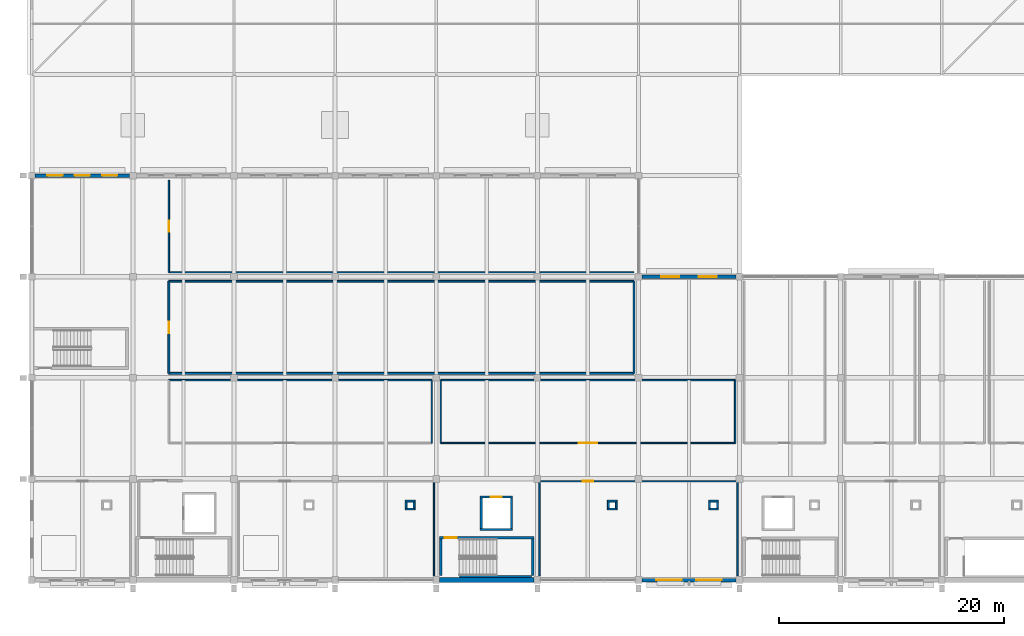
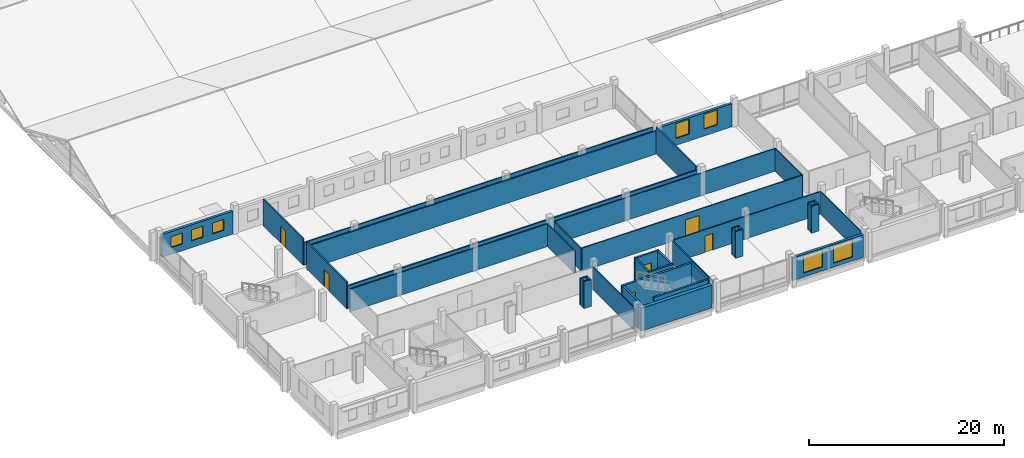
# One storey, part 149 of 163: 40 walls, 7 windows, 6 doors, 13 openings.
"""IFC4 building model written with IfcOpenShell, lengths in metres."""

from ifc_helpers import new_model, si_unit, direction, frame, frame_2d, origin, place, context, subcontext, project, spatial, rectangle, extrude, material, layer, layer_set, type_object, element, fill, save


model = new_model("IFC4")

# Units and contexts
model_context = context("Model", 3, precision=1e-05, world=origin(), true_north=direction((0.0, 1.0)))
body_context = subcontext(model_context, "Body", "Model", "MODEL_VIEW")
ifc_project = project(units=[si_unit("LENGTHUNIT", "METRE"), si_unit("AREAUNIT", "SQUARE_METRE"), si_unit("VOLUMEUNIT", "CUBIC_METRE"), si_unit("PLANEANGLEUNIT", "RADIAN"), si_unit("MASSUNIT", "GRAM", prefix="KILO")], contexts=[model_context])

# Site, building, storey
site_placement = place(None, origin())
site = spatial("IfcSite", under=ifc_project, at=site_placement, CompositionType="ELEMENT")
building_placement = place(site_placement, origin())
building = spatial("IfcBuilding", under=site, at=building_placement, Name="Tharagai Park Tramway Depot", CompositionType="ELEMENT")
storey_placement = place(building_placement, frame((0.0, 0.0, 8.39990234375)))
storey = spatial("IfcBuildingStorey", under=building, at=storey_placement, Name="L02", CompositionType="ELEMENT", Elevation=8.39990234375)

# Wall
ifc_material_1 = material(Name="Charnockite stone", Category="masonry")
ifc_layer_1 = layer(ifc_material_1, 0.419921875)
ifc_layer_set_1 = layer_set([ifc_layer_1], Name="Charnockite stone")
wall_type_1 = type_object("IfcWallType", Name="EW-07", PredefinedType="SOLIDWALL", material=ifc_layer_set_1)
wall_1_placement = place(storey_placement, frame((36.298095703125, 0.0, 0.0), z_axis=(0.0, 0.0, 1.0), x_axis=(1.0, 0.0, 0.0)))
element("IfcWall", 1, at=wall_1_placement, inside=storey, type_object=wall_type_1, Name="L02 V4 Exterior Masonry Wall EW-07", PredefinedType="SOLIDWALL", context=body_context, shape_type="SweptSolid", body=[
    extrude(rectangle(XDim=8.40380859375, YDim=0.419921875, at=frame_2d((4.201904296875, 0.0))), origin(), (0.0, 0.0, 1.0), 2.862060546875),
])

# Wall, openings, windows
ifc_material_2 = material(Name="Pressed clay brick", Category="masonry")
ifc_layer_2 = layer(ifc_material_2, 0.300048828125)
ifc_layer_set_2 = layer_set([ifc_layer_2], Name="Pressed clay brick")
wall_type_2 = type_object("IfcWallType", Name="EW-08", PredefinedType="SOLIDWALL", material=ifc_layer_set_2)
wall_2_placement = place(storey_placement, frame((54.298095703125, 0.0, 0.0), z_axis=(0.0, 0.0, 1.0), x_axis=(1.0, 0.0, 0.0)))
wall_2 = element("IfcWall", 2, at=wall_2_placement, inside=storey, type_object=wall_type_2, Name="L02 V4 Exterior Masonry Wall EW-08", PredefinedType="SOLIDWALL", context=body_context, shape_type="SweptSolid", body=[
    extrude(rectangle(XDim=8.40380859375, YDim=0.300048828125, at=frame_2d((4.201904296875, 0.0))), origin(), (0.0, 0.0, 1.0), 2.862060546875),
])
opening_1_placement = place(wall_2_placement, frame((1.301025390625, 0.0, 0.5)))
opening_1 = element("IfcOpeningElement", 3, at=opening_1_placement, cuts=wall_2, Name="Opening WN-36", PredefinedType="OPENING", context=body_context, shape_type="SweptSolid", body=[
    extrude(rectangle(XDim=2.25, YDim=2.179931640625, at=frame_2d((1.125, 1.08984375))), frame((0.0, 0.159912109375, 0.0), z_axis=(0.0, -1.0, 0.0), x_axis=(1.0, 0.0, 0.0)), (0.0, 0.0, 1.0), 0.320068359375),
])
opening_2_placement = place(wall_2_placement, frame((4.85302734375, 0.0, 0.5)))
opening_2 = element("IfcOpeningElement", 4, at=opening_2_placement, cuts=wall_2, Name="Opening WN-36", PredefinedType="OPENING", context=body_context, shape_type="SweptSolid", body=[
    extrude(rectangle(XDim=2.25, YDim=2.179931640625, at=frame_2d((1.125, 1.08984375))), frame((0.0, 0.159912109375, 0.0), z_axis=(0.0, -1.0, 0.0), x_axis=(1.0, 0.0, 0.0)), (0.0, 0.0, 1.0), 0.320068359375),
])
ifc_material_3 = material(Name="Laminated solar-control glass", Category="glass")
window_type_1 = type_object("IfcWindowType", Name="WN-36", PartitioningType="SINGLE_PANEL", PredefinedType="WINDOW", material=ifc_material_3)
window_1_placement = place(opening_1_placement, origin())
window_1 = element("IfcWindow", 5, at=window_1_placement, inside=storey, type_object=window_type_1, Name="L02 V4 Gothic Lancet Window WN-36", OverallHeight=2.179931640625, OverallWidth=2.25, PartitioningType="SINGLE_PANEL", PredefinedType="WINDOW", context=body_context, shape_type="SweptSolid", body=[
    extrude(rectangle(XDim=2.25, YDim=2.179931640625, at=frame_2d((1.125, 1.08984375))), frame((0.0, 0.030029296875, 0.0), z_axis=(0.0, -1.0, 0.0), x_axis=(1.0, 0.0, 0.0)), (0.0, 0.0, 1.0), 0.06005859375),
])
fill(opening_1, window_1)
window_2_placement = place(opening_2_placement, origin())
window_2 = element("IfcWindow", 6, at=window_2_placement, inside=storey, type_object=window_type_1, Name="L02 V4 Gothic Lancet Window WN-36", OverallHeight=2.179931640625, OverallWidth=2.25, PartitioningType="SINGLE_PANEL", PredefinedType="WINDOW", context=body_context, shape_type="SweptSolid", body=[
    extrude(rectangle(XDim=2.25, YDim=2.179931640625, at=frame_2d((1.125, 1.08984375))), frame((0.0, 0.030029296875, 0.0), z_axis=(0.0, -1.0, 0.0), x_axis=(1.0, 0.0, 0.0)), (0.0, 0.0, 1.0), 0.06005859375),
])
fill(opening_2, window_2)

wall_3_placement = place(storey_placement, frame((54.298095703125, 27.0, 0.0), z_axis=(0.0, 0.0, 1.0), x_axis=(1.0, 0.0, 0.0)))
wall_3 = element("IfcWall", 7, at=wall_3_placement, inside=storey, type_object=wall_type_2, Name="L02 V4 Exterior Masonry Wall EW-08", PredefinedType="SOLIDWALL", context=body_context, shape_type="SweptSolid", body=[
    extrude(rectangle(XDim=8.40380859375, YDim=0.300048828125, at=frame_2d((4.201904296875, 0.0))), origin(), (0.0, 0.0, 1.0), 2.902099609375),
])
opening_3_placement = place(wall_3_placement, frame((1.735107421875, 0.0, 0.85009765625)))
opening_3 = element("IfcOpeningElement", 8, at=opening_3_placement, cuts=wall_3, Name="Opening WN-55", PredefinedType="OPENING", context=body_context, shape_type="SweptSolid", body=[
    extrude(rectangle(XDim=1.60009765625, YDim=1.860107421875, at=frame_2d((0.800048828125, 0.93017578125))), frame((0.0, 0.159912109375, 0.0), z_axis=(0.0, -1.0, 0.0), x_axis=(1.0, 0.0, 0.0)), (0.0, 0.0, 1.0), 0.320068359375),
])
opening_4_placement = place(wall_3_placement, frame((5.069091796875, 0.0, 0.85009765625)))
opening_4 = element("IfcOpeningElement", 9, at=opening_4_placement, cuts=wall_3, Name="Opening WN-55", PredefinedType="OPENING", context=body_context, shape_type="SweptSolid", body=[
    extrude(rectangle(XDim=1.60009765625, YDim=1.860107421875, at=frame_2d((0.800048828125, 0.93017578125))), frame((0.0, 0.159912109375, 0.0), z_axis=(0.0, -1.0, 0.0), x_axis=(1.0, 0.0, 0.0)), (0.0, 0.0, 1.0), 0.320068359375),
])
window_type_2 = type_object("IfcWindowType", Name="WN-55", PartitioningType="SINGLE_PANEL", PredefinedType="WINDOW", material=ifc_material_3)
window_3_placement = place(opening_3_placement, origin())
window_3 = element("IfcWindow", 10, at=window_3_placement, inside=storey, type_object=window_type_2, Name="L02 V4 Gothic Lancet Window WN-55", OverallHeight=1.860107421875, OverallWidth=1.60009765625, PartitioningType="SINGLE_PANEL", PredefinedType="WINDOW", context=body_context, shape_type="SweptSolid", body=[
    extrude(rectangle(XDim=1.60009765625, YDim=1.860107421875, at=frame_2d((0.800048828125, 0.93017578125))), frame((0.0, 0.030029296875, 0.0), z_axis=(0.0, -1.0, 0.0), x_axis=(1.0, 0.0, 0.0)), (0.0, 0.0, 1.0), 0.06005859375),
])
fill(opening_3, window_3)
window_4_placement = place(opening_4_placement, origin())
window_4 = element("IfcWindow", 11, at=window_4_placement, inside=storey, type_object=window_type_2, Name="L02 V4 Gothic Lancet Window WN-55", OverallHeight=1.860107421875, OverallWidth=1.60009765625, PartitioningType="SINGLE_PANEL", PredefinedType="WINDOW", context=body_context, shape_type="SweptSolid", body=[
    extrude(rectangle(XDim=1.60009765625, YDim=1.860107421875, at=frame_2d((0.800048828125, 0.93017578125))), frame((0.0, 0.030029296875, 0.0), z_axis=(0.0, -1.0, 0.0), x_axis=(1.0, 0.0, 0.0)), (0.0, 0.0, 1.0), 0.06005859375),
])
fill(opening_4, window_4)

wall_4_placement = place(storey_placement, frame((0.298095703125, 36.0, 0.0), z_axis=(0.0, 0.0, 1.0), x_axis=(1.0, 0.0, 0.0)))
wall_4 = element("IfcWall", 12, at=wall_4_placement, inside=storey, type_object=wall_type_2, Name="L02 V4 Exterior Masonry Wall EW-08", PredefinedType="SOLIDWALL", context=body_context, shape_type="SweptSolid", body=[
    extrude(rectangle(XDim=8.40380859375, YDim=0.300048828125, at=frame_2d((4.201904296875, 0.0))), origin(), (0.0, 0.0, 1.0), 2.862060546875),
])
opening_5_placement = place(wall_4_placement, frame((1.0810546875, 0.0, 0.85009765625)))
opening_5 = element("IfcOpeningElement", 13, at=opening_5_placement, cuts=wall_4, Name="Opening WN-41", PredefinedType="OPENING", context=body_context, shape_type="SweptSolid", body=[
    extrude(rectangle(XDim=1.360107421875, YDim=1.3798828125, at=frame_2d((0.68017578125, 0.68994140625))), frame((0.0, 0.159912109375, 0.0), z_axis=(0.0, -1.0, 0.0), x_axis=(1.0, 0.0, 0.0)), (0.0, 0.0, 1.0), 0.320068359375),
])
opening_6_placement = place(wall_4_placement, frame((3.52197265625, 0.0, 0.85009765625)))
opening_6 = element("IfcOpeningElement", 14, at=opening_6_placement, cuts=wall_4, Name="Opening WN-41", PredefinedType="OPENING", context=body_context, shape_type="SweptSolid", body=[
    extrude(rectangle(XDim=1.360107421875, YDim=1.3798828125, at=frame_2d((0.68017578125, 0.68994140625))), frame((0.0, 0.159912109375, 0.0), z_axis=(0.0, -1.0, 0.0), x_axis=(1.0, 0.0, 0.0)), (0.0, 0.0, 1.0), 0.320068359375),
])
opening_7_placement = place(wall_4_placement, frame((5.962890625, 0.0, 0.85009765625)))
opening_7 = element("IfcOpeningElement", 15, at=opening_7_placement, cuts=wall_4, Name="Opening WN-41", PredefinedType="OPENING", context=body_context, shape_type="SweptSolid", body=[
    extrude(rectangle(XDim=1.360107421875, YDim=1.3798828125, at=frame_2d((0.68017578125, 0.68994140625))), frame((0.0, 0.159912109375, 0.0), z_axis=(0.0, -1.0, 0.0), x_axis=(1.0, 0.0, 0.0)), (0.0, 0.0, 1.0), 0.320068359375),
])
window_type_3 = type_object("IfcWindowType", Name="WN-41", PartitioningType="SINGLE_PANEL", PredefinedType="WINDOW", material=ifc_material_3)
window_5_placement = place(opening_5_placement, origin())
window_5 = element("IfcWindow", 16, at=window_5_placement, inside=storey, type_object=window_type_3, Name="L02 V4 Gothic Lancet Window WN-41", OverallHeight=1.3798828125, OverallWidth=1.360107421875, PartitioningType="SINGLE_PANEL", PredefinedType="WINDOW", context=body_context, shape_type="SweptSolid", body=[
    extrude(rectangle(XDim=1.360107421875, YDim=1.3798828125, at=frame_2d((0.68017578125, 0.68994140625))), frame((0.0, 0.030029296875, 0.0), z_axis=(0.0, -1.0, 0.0), x_axis=(1.0, 0.0, 0.0)), (0.0, 0.0, 1.0), 0.06005859375),
])
fill(opening_5, window_5)
window_6_placement = place(opening_6_placement, origin())
window_6 = element("IfcWindow", 17, at=window_6_placement, inside=storey, type_object=window_type_3, Name="L02 V4 Gothic Lancet Window WN-41", OverallHeight=1.3798828125, OverallWidth=1.360107421875, PartitioningType="SINGLE_PANEL", PredefinedType="WINDOW", context=body_context, shape_type="SweptSolid", body=[
    extrude(rectangle(XDim=1.360107421875, YDim=1.3798828125, at=frame_2d((0.68017578125, 0.68994140625))), frame((0.0, 0.030029296875, 0.0), z_axis=(0.0, -1.0, 0.0), x_axis=(1.0, 0.0, 0.0)), (0.0, 0.0, 1.0), 0.06005859375),
])
fill(opening_6, window_6)
window_7_placement = place(opening_7_placement, origin())
window_7 = element("IfcWindow", 18, at=window_7_placement, inside=storey, type_object=window_type_3, Name="L02 V4 Gothic Lancet Window WN-41", OverallHeight=1.3798828125, OverallWidth=1.360107421875, PartitioningType="SINGLE_PANEL", PredefinedType="WINDOW", context=body_context, shape_type="SweptSolid", body=[
    extrude(rectangle(XDim=1.360107421875, YDim=1.3798828125, at=frame_2d((0.68017578125, 0.68994140625))), frame((0.0, 0.030029296875, 0.0), z_axis=(0.0, -1.0, 0.0), x_axis=(1.0, 0.0, 0.0)), (0.0, 0.0, 1.0), 0.06005859375),
])
fill(opening_7, window_7)

# Walls
ifc_layer_3 = layer(ifc_material_2, 0.159912109375)
ifc_layer_set_3 = layer_set([ifc_layer_3], Name="Pressed clay brick")
wall_type_3 = type_object("IfcWallType", Name="IW-02", PredefinedType="PARTITIONING", material=ifc_layer_set_3)
for number, where, z_axis, x_axis, name in (
    (19, (33.239990234375, 6.320068359375, 0.0), (0.0, 0.0, 1.0), (1.0, 0.0, 0.0), "L02 Pipe Riser Enclosure Wall 41 S"),
    (20, (33.239990234375, 7.030029296875, 0.0), (0.0, 0.0, 1.0), (1.0, 0.0, 0.0), "L02 Pipe Riser Enclosure Wall 41 N"),
):
    element("IfcWall", number, at=place(storey_placement, frame(where, z_axis=z_axis, x_axis=x_axis)), inside=storey, type_object=wall_type_3, Name=name, PredefinedType="PARTITIONING", context=body_context, shape_type="SweptSolid", body=[
        extrude(rectangle(XDim=0.8701171875, YDim=0.159912109375, at=frame_2d((0.43505859375, 0.0))), origin(), (0.0, 0.0, 1.0), 3.35009765625),
    ])
for number, where, z_axis, x_axis, name in (
    (21, (33.320068359375, 6.39990234375, 0.0), (0.0, 0.0, 1.0), (0.0, 1.0, 0.0), "L02 Pipe Riser Enclosure Wall 41 W"),
    (22, (34.030029296875, 6.39990234375, 0.0), (0.0, 0.0, 1.0), (0.0, 1.0, 0.0), "L02 Pipe Riser Enclosure Wall 41 E"),
):
    element("IfcWall", number, at=place(storey_placement, frame(where, z_axis=z_axis, x_axis=x_axis)), inside=storey, type_object=wall_type_3, Name=name, PredefinedType="PARTITIONING", context=body_context, shape_type="SweptSolid", body=[
        extrude(rectangle(XDim=0.550048828125, YDim=0.159912109375, at=frame_2d((0.27490234375, 0.0))), origin(), (0.0, 0.0, 1.0), 3.35009765625),
    ])
for number, where, z_axis, x_axis, name in (
    (23, (51.239990234375, 6.320068359375, 0.0), (0.0, 0.0, 1.0), (1.0, 0.0, 0.0), "L02 Pipe Riser Enclosure Wall 42 S"),
    (24, (51.239990234375, 7.030029296875, 0.0), (0.0, 0.0, 1.0), (1.0, 0.0, 0.0), "L02 Pipe Riser Enclosure Wall 42 N"),
):
    element("IfcWall", number, at=place(storey_placement, frame(where, z_axis=z_axis, x_axis=x_axis)), inside=storey, type_object=wall_type_3, Name=name, PredefinedType="PARTITIONING", context=body_context, shape_type="SweptSolid", body=[
        extrude(rectangle(XDim=0.8701171875, YDim=0.159912109375, at=frame_2d((0.43505859375, 0.0))), origin(), (0.0, 0.0, 1.0), 3.35009765625),
    ])
for number, where, z_axis, x_axis, name in (
    (25, (51.320068359375, 6.39990234375, 0.0), (0.0, 0.0, 1.0), (0.0, 1.0, 0.0), "L02 Pipe Riser Enclosure Wall 42 W"),
    (26, (52.030029296875, 6.39990234375, 0.0), (0.0, 0.0, 1.0), (0.0, 1.0, 0.0), "L02 Pipe Riser Enclosure Wall 42 E"),
):
    element("IfcWall", number, at=place(storey_placement, frame(where, z_axis=z_axis, x_axis=x_axis)), inside=storey, type_object=wall_type_3, Name=name, PredefinedType="PARTITIONING", context=body_context, shape_type="SweptSolid", body=[
        extrude(rectangle(XDim=0.550048828125, YDim=0.159912109375, at=frame_2d((0.27490234375, 0.0))), origin(), (0.0, 0.0, 1.0), 3.35009765625),
    ])
for number, where, z_axis, x_axis, name in (
    (27, (60.239990234375, 6.320068359375, 0.0), (0.0, 0.0, 1.0), (1.0, 0.0, 0.0), "L02 Pipe Riser Enclosure Wall 43 S"),
    (28, (60.239990234375, 7.030029296875, 0.0), (0.0, 0.0, 1.0), (1.0, 0.0, 0.0), "L02 Pipe Riser Enclosure Wall 43 N"),
):
    element("IfcWall", number, at=place(storey_placement, frame(where, z_axis=z_axis, x_axis=x_axis)), inside=storey, type_object=wall_type_3, Name=name, PredefinedType="PARTITIONING", context=body_context, shape_type="SweptSolid", body=[
        extrude(rectangle(XDim=0.8701171875, YDim=0.159912109375, at=frame_2d((0.43505859375, 0.0))), origin(), (0.0, 0.0, 1.0), 3.35009765625),
    ])
for number, where, z_axis, x_axis, name in (
    (29, (60.320068359375, 6.39990234375, 0.0), (0.0, 0.0, 1.0), (0.0, 1.0, 0.0), "L02 Pipe Riser Enclosure Wall 43 W"),
    (30, (61.030029296875, 6.39990234375, 0.0), (0.0, 0.0, 1.0), (0.0, 1.0, 0.0), "L02 Pipe Riser Enclosure Wall 43 E"),
):
    element("IfcWall", number, at=place(storey_placement, frame(where, z_axis=z_axis, x_axis=x_axis)), inside=storey, type_object=wall_type_3, Name=name, PredefinedType="PARTITIONING", context=body_context, shape_type="SweptSolid", body=[
        extrude(rectangle(XDim=0.550048828125, YDim=0.159912109375, at=frame_2d((0.27490234375, 0.0))), origin(), (0.0, 0.0, 1.0), 3.35009765625),
    ])
for number, where, z_axis, x_axis, name in (
    (31, (12.199951171875, 18.39990234375, 0.0), (0.0, 0.0, 1.0), (1.0, 0.0, 0.0), "OCC Rack and Telemetry Equipment Room Partition South"),
    (32, (12.199951171875, 26.60009765625, 0.0), (0.0, 0.0, 1.0), (1.0, 0.0, 0.0), "OCC Rack and Telemetry Equipment Room Partition North"),
):
    element("IfcWall", number, at=place(storey_placement, frame(where, z_axis=z_axis, x_axis=x_axis)), inside=storey, type_object=wall_type_3, Name=name, PredefinedType="PARTITIONING", context=body_context, shape_type="SweptSolid", body=[
        extrude(rectangle(XDim=41.400146484375, YDim=0.159912109375, at=frame_2d((20.7001953125, 0.0))), origin(), (0.0, 0.0, 1.0), 2.89501953125),
    ])

# Wall, opening, door
wall_5_placement = place(storey_placement, frame((12.199951171875, 18.39990234375, 0.0), z_axis=(0.0, 0.0, 1.0), x_axis=(0.0, 1.0, 0.0)))
wall_5 = element("IfcWall", 33, at=wall_5_placement, inside=storey, type_object=wall_type_3, Name="OCC Rack and Telemetry Equipment Room Partition West", PredefinedType="PARTITIONING", context=body_context, shape_type="SweptSolid", body=[
    extrude(rectangle(XDim=8.2001953125, YDim=0.159912109375, at=frame_2d((4.10009765625, 0.0))), origin(), (0.0, 0.0, 1.0), 3.35009765625),
])
opening_8_placement = place(wall_5_placement, frame((3.590087890625, 0.0, 0.0)))
opening_8 = element("IfcOpeningElement", 34, at=opening_8_placement, cuts=wall_5, Name="Opening ID-12", PredefinedType="OPENING", context=body_context, shape_type="SweptSolid", body=[
    extrude(rectangle(XDim=1.02001953125, YDim=2.10009765625, at=frame_2d((0.510009765625, 1.050048828125))), frame((0.0, 0.08984375, 0.0), z_axis=(0.0, -1.0, 0.0), x_axis=(1.0, 0.0, 0.0)), (0.0, 0.0, 1.0), 0.179931640625),
])
ifc_material_4 = material(Name="Pressed timber", Category="wood")
door_type_1 = type_object("IfcDoorType", Name="ID-12", OperationType="NOTDEFINED", PredefinedType="DOOR", material=ifc_material_4)
door_1_placement = place(opening_8_placement, origin())
door_1 = element("IfcDoor", 35, at=door_1_placement, inside=storey, type_object=door_type_1, Name="OCC Rack and Telemetry Equipment Room Door", OperationType="SINGLE_SWING_RIGHT", OverallHeight=2.10009765625, OverallWidth=1.02001953125, PredefinedType="DOOR", context=body_context, shape_type="SweptSolid", body=[
    extrude(rectangle(XDim=1.02001953125, YDim=2.10009765625, at=frame_2d((0.510009765625, 1.050048828125))), frame((0.0, 0.02490234375, 0.0), z_axis=(0.0, -1.0, 0.0), x_axis=(1.0, 0.0, 0.0)), (0.0, 0.0, 1.0), 0.050048828125),
])
fill(opening_8, door_1)

# Walls
wall_6_placement = place(storey_placement, frame((53.60009765625, 18.39990234375, 0.0), z_axis=(0.0, 0.0, 1.0), x_axis=(0.0, 1.0, 0.0)))
element("IfcWall", 36, at=wall_6_placement, inside=storey, type_object=wall_type_3, Name="OCC Rack and Telemetry Equipment Room Partition East", PredefinedType="PARTITIONING", context=body_context, shape_type="SweptSolid", body=[
    extrude(rectangle(XDim=8.2001953125, YDim=0.159912109375, at=frame_2d((4.10009765625, 0.0))), origin(), (0.0, 0.0, 1.0), 3.35009765625),
])
ifc_material_5 = material(Name="Gypsum board", Category="gypsum")
ifc_layer_4 = layer(ifc_material_5, 0.1201171875)
ifc_layer_set_4 = layer_set([ifc_layer_4], Name="Gypsum board")
wall_type_4 = type_object("IfcWallType", Name="IW-03", PredefinedType="PARTITIONING", material=ifc_layer_set_4)
wall_7_placement = place(storey_placement, frame((35.800048828125, 0.39990234375, 0.0), z_axis=(0.0, 0.0, 1.0), x_axis=(0.0, 1.0, 0.0)))
element("IfcWall", 37, at=wall_7_placement, inside=storey, type_object=wall_type_4, Name="Yard Operations Control Room Partition East", PredefinedType="PARTITIONING", context=body_context, shape_type="SweptSolid", body=[
    extrude(rectangle(XDim=8.400146484375, YDim=0.1201171875, at=frame_2d((4.2001953125, 0.0))), origin(), (0.0, 0.0, 1.0), 2.84521484375),
])

# Wall, opening, door
wall_8_placement = place(storey_placement, frame((45.199951171875, 8.800048828125, 0.0), z_axis=(0.0, 0.0, 1.0), x_axis=(1.0, 0.0, 0.0)))
wall_8 = element("IfcWall", 38, at=wall_8_placement, inside=storey, type_object=wall_type_4, Name="Cab Simulator Lab 1 Partition North", PredefinedType="PARTITIONING", context=body_context, shape_type="SweptSolid", body=[
    extrude(rectangle(XDim=17.60009765625, YDim=0.1201171875, at=frame_2d((8.800048828125, 0.0))), origin(), (0.0, 0.0, 1.0), 2.84521484375),
])
opening_9_placement = place(wall_8_placement, frame((3.830078125, 0.0, 0.0)))
opening_9 = element("IfcOpeningElement", 39, at=opening_9_placement, cuts=wall_8, Name="Opening ID-03", PredefinedType="OPENING", context=body_context, shape_type="SweptSolid", body=[
    extrude(rectangle(XDim=0.93994140625, YDim=2.06005859375, at=frame_2d((0.469970703125, 1.030029296875))), frame((0.0, 0.070068359375, 0.0), z_axis=(0.0, -1.0, 0.0), x_axis=(1.0, 0.0, 0.0)), (0.0, 0.0, 1.0), 0.14013671875),
])
door_type_2 = type_object("IfcDoorType", Name="ID-03", OperationType="NOTDEFINED", PredefinedType="DOOR", material=ifc_material_4)
door_2_placement = place(opening_9_placement, origin())
door_2 = element("IfcDoor", 40, at=door_2_placement, inside=storey, type_object=door_type_2, Name="Cab Simulator Lab 1 Door", OperationType="SINGLE_SWING_RIGHT", OverallHeight=2.06005859375, OverallWidth=0.93994140625, PredefinedType="DOOR", context=body_context, shape_type="SweptSolid", body=[
    extrude(rectangle(XDim=0.93994140625, YDim=2.06005859375, at=frame_2d((0.469970703125, 1.030029296875))), frame((0.0, 0.02490234375, 0.0), z_axis=(0.0, -1.0, 0.0), x_axis=(1.0, 0.0, 0.0)), (0.0, 0.0, 1.0), 0.050048828125),
])
fill(opening_9, door_2)

# Walls
for number, where, z_axis, x_axis, name in (
    (41, (45.199951171875, 0.39990234375, 0.0), (0.0, 0.0, 1.0), (0.0, 1.0, 0.0), "Cab Simulator Lab 1 Partition West"),
    (42, (62.800048828125, 0.39990234375, 0.0), (0.0, 0.0, 1.0), (0.0, 1.0, 0.0), "Cab Simulator Lab 1 Partition East"),
):
    element("IfcWall", number, at=place(storey_placement, frame(where, z_axis=z_axis, x_axis=x_axis)), inside=storey, type_object=wall_type_4, Name=name, PredefinedType="PARTITIONING", context=body_context, shape_type="SweptSolid", body=[
        extrude(rectangle(XDim=8.400146484375, YDim=0.1201171875, at=frame_2d((4.2001953125, 0.0))), origin(), (0.0, 0.0, 1.0), 2.84521484375),
    ])
wall_9_placement = place(storey_placement, frame((12.199951171875, 17.800048828125, 0.0), z_axis=(0.0, 0.0, 1.0), x_axis=(1.0, 0.0, 0.0)))
element("IfcWall", 43, at=wall_9_placement, inside=storey, type_object=wall_type_4, Name="Driver Training Room 1 Partition North", PredefinedType="PARTITIONING", context=body_context, shape_type="SweptSolid", body=[
    extrude(rectangle(XDim=23.400146484375, YDim=0.1201171875, at=frame_2d((11.7001953125, 0.0))), origin(), (0.0, 0.0, 1.0), 2.84521484375),
])
wall_10_placement = place(storey_placement, frame((35.60009765625, 12.199951171875, 0.0), z_axis=(0.0, 0.0, 1.0), x_axis=(0.0, 1.0, 0.0)))
element("IfcWall", 44, at=wall_10_placement, inside=storey, type_object=wall_type_4, Name="Driver Training Room 1 Partition East", PredefinedType="PARTITIONING", context=body_context, shape_type="SweptSolid", body=[
    extrude(rectangle(XDim=5.60009765625, YDim=0.1201171875, at=frame_2d((2.800048828125, 0.0))), origin(), (0.0, 0.0, 1.0), 2.84521484375),
])

# Wall, opening, door
wall_11_placement = place(storey_placement, frame((36.39990234375, 12.199951171875, 0.0), z_axis=(0.0, 0.0, 1.0), x_axis=(1.0, 0.0, 0.0)))
wall_11 = element("IfcWall", 45, at=wall_11_placement, inside=storey, type_object=wall_type_4, Name="Signalling Training Room 2 Partition South", PredefinedType="PARTITIONING", context=body_context, shape_type="SweptSolid", body=[
    extrude(rectangle(XDim=26.2001953125, YDim=0.1201171875, at=frame_2d((13.10009765625, 0.0))), origin(), (0.0, 0.0, 1.0), 2.89501953125),
])
opening_10_placement = place(wall_11_placement, frame((12.2900390625, 0.0, 0.0)))
opening_10 = element("IfcOpeningElement", 46, at=opening_10_placement, cuts=wall_11, Name="Opening ID-01", PredefinedType="OPENING", context=body_context, shape_type="SweptSolid", body=[
    extrude(rectangle(XDim=1.6201171875, YDim=2.139892578125, at=frame_2d((0.81005859375, 1.06982421875))), frame((0.0, 0.070068359375, 0.0), z_axis=(0.0, -1.0, 0.0), x_axis=(1.0, 0.0, 0.0)), (0.0, 0.0, 1.0), 0.14013671875),
])
ifc_material_6 = material(Name="Anodised aluminium", Category="aluminium")
door_type_3 = type_object("IfcDoorType", Name="ID-01", OperationType="DOUBLE_SWING_LEFT", PredefinedType="DOOR", material=ifc_material_6)
door_3_placement = place(opening_10_placement, frame((1.6201171875, 0.0, 0.0), z_axis=(0.0, 0.0, 1.0), x_axis=(-1.0, 0.0, 0.0)))
door_3 = element("IfcDoor", 47, at=door_3_placement, inside=storey, type_object=door_type_3, Name="Signalling Training Room 2 Door", OperationType="DOUBLE_SWING_LEFT", OverallHeight=2.139892578125, OverallWidth=1.6201171875, PredefinedType="DOOR", context=body_context, shape_type="SweptSolid", body=[
    extrude(rectangle(XDim=1.6201171875, YDim=2.139892578125, at=frame_2d((0.81005859375, 1.06982421875))), frame((0.0, 0.02490234375, 0.0), z_axis=(0.0, -1.0, 0.0), x_axis=(1.0, 0.0, 0.0)), (0.0, 0.0, 1.0), 0.050048828125),
])
fill(opening_10, door_3)

# Walls
wall_12_placement = place(storey_placement, frame((36.39990234375, 17.800048828125, 0.0), z_axis=(0.0, 0.0, 1.0), x_axis=(1.0, 0.0, 0.0)))
element("IfcWall", 48, at=wall_12_placement, inside=storey, type_object=wall_type_4, Name="Signalling Training Room 2 Partition North", PredefinedType="PARTITIONING", context=body_context, shape_type="SweptSolid", body=[
    extrude(rectangle(XDim=26.2001953125, YDim=0.1201171875, at=frame_2d((13.10009765625, 0.0))), origin(), (0.0, 0.0, 1.0), 2.84521484375),
])
wall_13_placement = place(storey_placement, frame((36.39990234375, 12.199951171875, 0.0), z_axis=(0.0, 0.0, 1.0), x_axis=(0.0, 1.0, 0.0)))
element("IfcWall", 49, at=wall_13_placement, inside=storey, type_object=wall_type_4, Name="Signalling Training Room 2 Partition West", PredefinedType="PARTITIONING", context=body_context, shape_type="SweptSolid", body=[
    extrude(rectangle(XDim=5.60009765625, YDim=0.1201171875, at=frame_2d((2.800048828125, 0.0))), origin(), (0.0, 0.0, 1.0), 2.84521484375),
])
wall_14_placement = place(storey_placement, frame((62.60009765625, 12.199951171875, 0.0), z_axis=(0.0, 0.0, 1.0), x_axis=(0.0, 1.0, 0.0)))
element("IfcWall", 50, at=wall_14_placement, inside=storey, type_object=wall_type_4, Name="Signalling Training Room 2 Partition East", PredefinedType="PARTITIONING", context=body_context, shape_type="SweptSolid", body=[
    extrude(rectangle(XDim=5.60009765625, YDim=0.1201171875, at=frame_2d((2.800048828125, 0.0))), origin(), (0.0, 0.0, 1.0), 2.864990234375),
])
wall_15_placement = place(storey_placement, frame((12.199951171875, 27.39990234375, 0.0), z_axis=(0.0, 0.0, 1.0), x_axis=(1.0, 0.0, 0.0)))
element("IfcWall", 51, at=wall_15_placement, inside=storey, type_object=wall_type_4, Name="Instructor Debriefing Room Partition South", PredefinedType="PARTITIONING", context=body_context, shape_type="SweptSolid", body=[
    extrude(rectangle(XDim=41.400146484375, YDim=0.1201171875, at=frame_2d((20.7001953125, 0.0))), origin(), (0.0, 0.0, 1.0), 2.84521484375),
])

# Wall, opening, door
wall_16_placement = place(storey_placement, frame((12.199951171875, 27.39990234375, 0.0), z_axis=(0.0, 0.0, 1.0), x_axis=(0.0, 1.0, 0.0)))
wall_16 = element("IfcWall", 52, at=wall_16_placement, inside=storey, type_object=wall_type_4, Name="Instructor Debriefing Room Partition West", PredefinedType="PARTITIONING", context=body_context, shape_type="SweptSolid", body=[
    extrude(rectangle(XDim=8.2001953125, YDim=0.1201171875, at=frame_2d((4.10009765625, 0.0))), origin(), (0.0, 0.0, 1.0), 3.35009765625),
])
opening_11_placement = place(wall_16_placement, frame((3.610107421875, 0.0, 0.0)))
opening_11 = element("IfcOpeningElement", 53, at=opening_11_placement, cuts=wall_16, Name="Opening ID-02", PredefinedType="OPENING", context=body_context, shape_type="SweptSolid", body=[
    extrude(rectangle(XDim=0.97998046875, YDim=2.080078125, at=frame_2d((0.489990234375, 1.0400390625))), frame((0.0, 0.070068359375, 0.0), z_axis=(0.0, -1.0, 0.0), x_axis=(1.0, 0.0, 0.0)), (0.0, 0.0, 1.0), 0.14013671875),
])
door_type_4 = type_object("IfcDoorType", Name="ID-02", OperationType="NOTDEFINED", PredefinedType="DOOR", material=ifc_material_4)
door_4_placement = place(opening_11_placement, origin())
door_4 = element("IfcDoor", 54, at=door_4_placement, inside=storey, type_object=door_type_4, Name="Instructor Debriefing Room Door", OperationType="SINGLE_SWING_LEFT", OverallHeight=2.080078125, OverallWidth=0.97998046875, PredefinedType="DOOR", context=body_context, shape_type="SweptSolid", body=[
    extrude(rectangle(XDim=0.97998046875, YDim=2.080078125, at=frame_2d((0.489990234375, 1.0400390625))), frame((0.0, 0.02490234375, 0.0), z_axis=(0.0, -1.0, 0.0), x_axis=(1.0, 0.0, 0.0)), (0.0, 0.0, 1.0), 0.050048828125),
])
fill(opening_11, door_4)

ifc_material_7 = material(Name="Concrete M40", Category="concrete")
ifc_layer_5 = layer(ifc_material_7, 0.239990234375)
ifc_layer_set_5 = layer_set([ifc_layer_5], Name="Concrete M40")
wall_type_5 = type_object("IfcWallType", Name="SW-01", PredefinedType="SHEAR", material=ifc_layer_set_5)
wall_17_placement = place(storey_placement, frame((36.280029296875, 3.77001953125, 0.0), z_axis=(0.0, 0.0, 1.0), x_axis=(1.0, 0.0, 0.0)))
wall_17 = element("IfcWall", 55, at=wall_17_placement, inside=storey, type_object=wall_type_5, Name="Core C2 L02 Shear Wall North", PredefinedType="SHEAR", context=body_context, shape_type="SweptSolid", body=[
    extrude(rectangle(XDim=8.43994140625, YDim=0.239990234375, at=frame_2d((4.219970703125, 0.0))), origin(), (0.0, 0.0, 1.0), 3.35009765625),
])
opening_12_placement = place(wall_17_placement, frame((0.47998046875, 0.0, 0.0)))
opening_12 = element("IfcOpeningElement", 56, at=opening_12_placement, cuts=wall_17, Name="Opening ID-05", PredefinedType="OPENING", context=body_context, shape_type="SweptSolid", body=[
    extrude(rectangle(XDim=1.080078125, YDim=2.080078125, at=frame_2d((0.5400390625, 1.0400390625))), frame((0.0, 0.1298828125, 0.0), z_axis=(0.0, -1.0, 0.0), x_axis=(1.0, 0.0, 0.0)), (0.0, 0.0, 1.0), 0.260009765625),
])
ifc_material_8 = material(Name="Galvanised steel", Category="steel")
door_type_5 = type_object("IfcDoorType", Name="ID-05", OperationType="NOTDEFINED", PredefinedType="DOOR", material=ifc_material_8)
door_5_placement = place(opening_12_placement, frame((1.080078125, 0.0, 0.0), z_axis=(0.0, 0.0, 1.0), x_axis=(-1.0, 0.0, 0.0)))
door_5 = element("IfcDoor", 57, at=door_5_placement, inside=storey, type_object=door_type_5, Name="Stair ST-02 L02 Fire Door", OperationType="SINGLE_SWING_RIGHT", OverallHeight=2.080078125, OverallWidth=1.080078125, PredefinedType="DOOR", context=body_context, shape_type="SweptSolid", body=[
    extrude(rectangle(XDim=1.080078125, YDim=2.080078125, at=frame_2d((0.5400390625, 1.0400390625))), frame((0.0, 0.02490234375, 0.0), z_axis=(0.0, -1.0, 0.0), x_axis=(1.0, 0.0, 0.0)), (0.0, 0.0, 1.0), 0.050048828125),
])
fill(opening_12, door_5)

# Walls
for number, where, z_axis, x_axis, name in (
    (58, (36.39990234375, 0.39990234375, 0.0), (0.0, 0.0, 1.0), (0.0, 1.0, 0.0), "Core C2 L02 Shear Wall West"),
    (59, (44.60009765625, 0.39990234375, 0.0), (0.0, 0.0, 1.0), (0.0, 1.0, 0.0), "Core C2 L02 Shear Wall East"),
):
    element("IfcWall", number, at=place(storey_placement, frame(where, z_axis=z_axis, x_axis=x_axis)), inside=storey, type_object=wall_type_5, Name=name, PredefinedType="SHEAR", context=body_context, shape_type="SweptSolid", body=[
        extrude(rectangle(XDim=3.25, YDim=0.239990234375, at=frame_2d((1.625, 0.0))), origin(), (0.0, 0.0, 1.0), 3.35009765625),
    ])
ifc_layer_6 = layer(ifc_material_7, 0.199951171875)
ifc_layer_set_6 = layer_set([ifc_layer_6], Name="Concrete M40")
wall_type_6 = type_object("IfcWallType", Name="SW-02", PredefinedType="SHEAR", material=ifc_layer_set_6)
wall_18_placement = place(storey_placement, frame((38.070068359375, 0.31494140625, 0.0), z_axis=(0.0, 0.0, 1.0), x_axis=(1.0, 0.0, 0.0)))
element("IfcWall", 60, at=wall_18_placement, inside=storey, type_object=wall_type_6, Name="Core C2 L02 Shear Bearing Liner South", PredefinedType="SHEAR", context=body_context, shape_type="SweptSolid", body=[
    extrude(rectangle(XDim=6.409912109375, YDim=0.199951171875, at=frame_2d((3.205078125, 0.0))), origin(), (0.0, 0.0, 1.0), 3.35009765625),
])
wall_19_placement = place(storey_placement, frame((39.89990234375, 4.5, 0.0), z_axis=(0.0, 0.0, 1.0), x_axis=(1.0, 0.0, 0.0)))
element("IfcWall", 61, at=wall_19_placement, inside=storey, type_object=wall_type_6, Name="Lift LP-01 L02 Shaft Wall South", PredefinedType="SHEAR", context=body_context, shape_type="SweptSolid", body=[
    extrude(rectangle(XDim=2.900146484375, YDim=0.199951171875, at=frame_2d((1.4501953125, 0.0))), origin(), (0.0, 0.0, 1.0), 3.35009765625),
])

# Wall, opening, door
wall_20_placement = place(storey_placement, frame((39.89990234375, 7.39990234375, 0.0), z_axis=(0.0, 0.0, 1.0), x_axis=(1.0, 0.0, 0.0)))
wall_20 = element("IfcWall", 62, at=wall_20_placement, inside=storey, type_object=wall_type_6, Name="Lift LP-01 L02 Shaft Wall North", PredefinedType="SHEAR", context=body_context, shape_type="SweptSolid", body=[
    extrude(rectangle(XDim=2.900146484375, YDim=0.199951171875, at=frame_2d((1.4501953125, 0.0))), origin(), (0.0, 0.0, 1.0), 3.35009765625),
])
opening_13_placement = place(wall_20_placement, frame((0.949951171875, 0.0, 0.0)))
opening_13 = element("IfcOpeningElement", 63, at=opening_13_placement, cuts=wall_20, Name="Opening LD-02", PredefinedType="OPENING", context=body_context, shape_type="SweptSolid", body=[
    extrude(rectangle(XDim=1.0, YDim=2.10009765625, at=frame_2d((0.5, 1.050048828125))), frame((0.0, 0.10986328125, 0.0), z_axis=(0.0, -1.0, 0.0), x_axis=(1.0, 0.0, 0.0)), (0.0, 0.0, 1.0), 0.219970703125),
])
door_type_6 = type_object("IfcDoorType", Name="LD-02", OperationType="SLIDING_TO_LEFT", PredefinedType="DOOR", material=ifc_material_6)
door_6_placement = place(opening_13_placement, origin())
door_6 = element("IfcDoor", 64, at=door_6_placement, inside=storey, type_object=door_type_6, Name="Lift LP-01 L02 Sliding Landing Door", OperationType="SLIDING_TO_LEFT", OverallHeight=2.10009765625, OverallWidth=1.0, PredefinedType="DOOR", context=body_context, shape_type="SweptSolid", body=[
    extrude(rectangle(XDim=1.0, YDim=2.10009765625, at=frame_2d((0.5, 1.050048828125))), frame((0.0, 0.02490234375, 0.0), z_axis=(0.0, -1.0, 0.0), x_axis=(1.0, 0.0, 0.0)), (0.0, 0.0, 1.0), 0.050048828125),
])
fill(opening_13, door_6)

# Walls
for number, where, z_axis, x_axis, name in (
    (65, (40.0, 4.60009765625, 0.0), (0.0, 0.0, 1.0), (0.0, 1.0, 0.0), "Lift LP-01 L02 Shaft Wall West"),
    (66, (42.699951171875, 4.60009765625, 0.0), (0.0, 0.0, 1.0), (0.0, 1.0, 0.0), "Lift LP-01 L02 Shaft Wall East"),
):
    element("IfcWall", number, at=place(storey_placement, frame(where, z_axis=z_axis, x_axis=x_axis)), inside=storey, type_object=wall_type_6, Name=name, PredefinedType="SHEAR", context=body_context, shape_type="SweptSolid", body=[
        extrude(rectangle(XDim=2.699951171875, YDim=0.199951171875, at=frame_2d((1.35009765625, 0.0))), origin(), (0.0, 0.0, 1.0), 3.35009765625),
    ])

save(model, "model.ifc")
